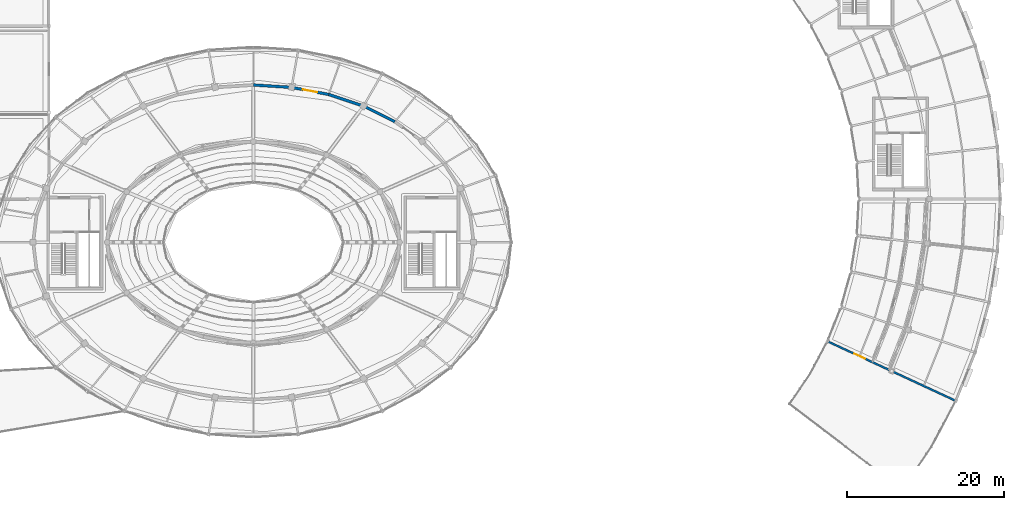
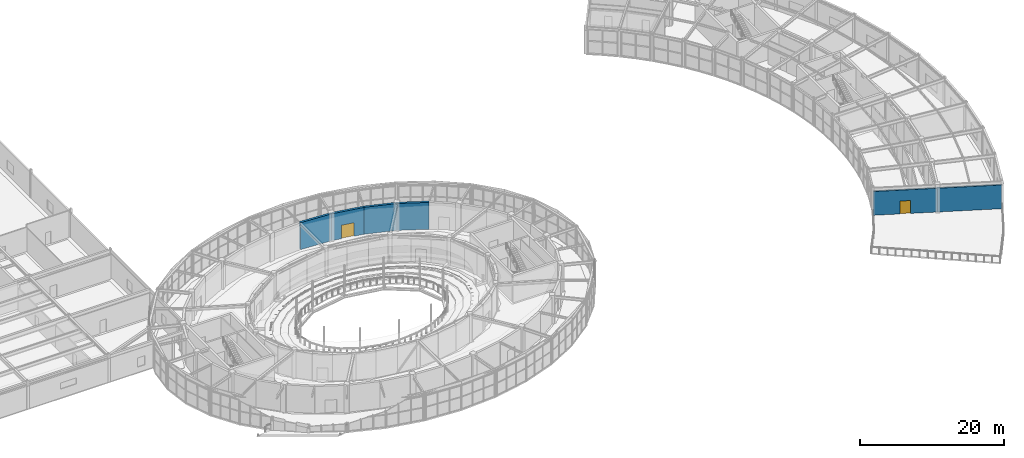
# One storey, part 93 of 108: 6 walls, 2 doors, 2 openings.
"""IFC4 building model written with IfcOpenShell, lengths in metres."""

import ifcopenshell
import ifcopenshell.guid

model = None  # the IFC model being written
_history = None  # IfcOwnerHistory: only IFC2X3 demands one
_inside = {}  # id of a spatial element -> (the spatial element, [elements in it])
_under = {}  # id of a project, library or spatial element -> (it, [spatial elements below it])
_declared = {}  # id of a project -> (the project, [libraries it declares])
_typed = {}  # id of a type object -> (the type object, [elements of that type])
_made_of = {}  # id of a material, layer set ... -> (it, [elements and type objects made of it])


def new_model(schema):
    """Start an empty IFC model of exactly this schema.

    Asked for "IFC4X3", IfcOpenShell would pick the latest addendum, in which some entities
    have other attributes; the version numbers below select the first issue.
    IFC2X3 requires an IfcOwnerHistory on every rooted entity: one is made here for all.
    """
    global model, _history
    if schema == "IFC4X3":
        model = ifcopenshell.file(schema_version=(4, 3, 0, 0))
    else:
        model = ifcopenshell.file(schema=schema)
    _inside.clear()
    _under.clear()
    _declared.clear()
    _typed.clear()
    _made_of.clear()
    _history = None
    if model.schema == "IFC2X3":
        org = make("IfcOrganization", Name="unknown")
        user = make(
            "IfcPersonAndOrganization",
            ThePerson=make("IfcPerson", FamilyName="unknown"),
            TheOrganization=org,
        )
        app = make(
            "IfcApplication",
            ApplicationDeveloper=org,
            Version="unknown",
            ApplicationFullName="unknown",
            ApplicationIdentifier="unknown",
        )
        _history = make(
            "IfcOwnerHistory",
            OwningUser=user,
            OwningApplication=app,
            ChangeAction="ADDED",
            CreationDate=0,
        )
    return model


def make(cls, **values):
    """One entity of the class cls with the attributes given. An attribute that is None is left unset."""
    return model.create_entity(
        cls, **{name: value for name, value in values.items() if value is not None}
    )


def rooted(cls, **values):
    """An entity with a GlobalId (a new one), such as an element, a storey or a relation."""
    return make(cls, GlobalId=ifcopenshell.guid.new(), OwnerHistory=_history, **values)


def si_unit(unit_type, name, prefix=None):
    """IfcSIUnit, for example si_unit("LENGTHUNIT", "METRE", prefix="MILLI")."""
    return make("IfcSIUnit", UnitType=unit_type, Prefix=prefix, Name=name)


def assignment(units):
    """IfcUnitAssignment: the units of a project."""
    return None if units is None else make("IfcUnitAssignment", Units=units)


def point(xyz):
    """IfcCartesianPoint."""
    return None if xyz is None else make("IfcCartesianPoint", Coordinates=xyz)


def direction(xyz):
    """IfcDirection."""
    return None if xyz is None else make("IfcDirection", DirectionRatios=xyz)


def frame(location, z_axis=None, x_axis=None):
    """IfcAxis2Placement3D, a coordinate frame: its origin and axes. An axis left out is left unset."""
    return make(
        "IfcAxis2Placement3D",
        Location=point(location),
        Axis=direction(z_axis),
        RefDirection=direction(x_axis),
    )


def frame_2d(location, x_axis=None):
    """IfcAxis2Placement2D, a coordinate frame in the plane: its origin and x axis."""
    return make(
        "IfcAxis2Placement2D", Location=point(location), RefDirection=direction(x_axis)
    )


def origin():
    """The frame at (0, 0, 0) with its axes left unset."""
    return frame((0.0, 0.0, 0.0))


def place(relative_to, where):
    """IfcLocalPlacement: puts the frame where relative to a parent placement (None: the world)."""
    return make(
        "IfcLocalPlacement", PlacementRelTo=relative_to, RelativePlacement=where
    )


def context(
    kind, dimensions, precision=None, world=None, true_north=None, identifier=None
):
    """IfcGeometricRepresentationContext, for example the 3D "Model" context."""
    return make(
        "IfcGeometricRepresentationContext",
        ContextIdentifier=identifier,
        ContextType=kind,
        CoordinateSpaceDimension=dimensions,
        Precision=precision,
        WorldCoordinateSystem=world,
        TrueNorth=true_north,
    )


def subcontext(parent, identifier, kind, view, scale=None):
    """IfcGeometricRepresentationSubContext, for example "Body" below "Model"."""
    return make(
        "IfcGeometricRepresentationSubContext",
        ContextIdentifier=identifier,
        ContextType=kind,
        ParentContext=parent,
        TargetScale=scale,
        TargetView=view,
    )


def project(units=None, contexts=None):
    """IfcProject with its units and contexts."""
    return rooted(
        "IfcProject",
        Name="project",
        RepresentationContexts=contexts,
        UnitsInContext=assignment(units),
    )


def spatial(cls, under=None, at=None, **own):
    """A site, building, storey or space (cls), placed at a placement, below another one or the project."""
    s = rooted(cls, ObjectPlacement=at, **own)
    if under is not None:
        _under.setdefault(under.id(), (under, []))[1].append(s)
    return s


def profile(cls, at=None, kind="AREA", **sizes):
    """A parametric profile (cls). Its sizes go by their IFC names, for example OverallWidth=200.0."""
    return make(cls, ProfileType=kind, Position=at, **sizes)


def rectangle(**sizes):
    """IfcRectangleProfileDef."""
    return profile("IfcRectangleProfileDef", **sizes)


def extrude(swept, where, along, depth):
    """IfcExtrudedAreaSolid: the profile swept, set in the frame where, extruded along a direction by depth."""
    return make(
        "IfcExtrudedAreaSolid",
        SweptArea=swept,
        Position=where,
        ExtrudedDirection=direction(along),
        Depth=depth,
    )


def shape(context_of_items, identifier, shape_type, items):
    """IfcShapeRepresentation: the items that make up one representation, for example the "Body"."""
    return make(
        "IfcShapeRepresentation",
        ContextOfItems=context_of_items,
        RepresentationIdentifier=identifier,
        RepresentationType=shape_type,
        Items=items,
    )


def material(Name=None, Category=None):
    """IfcMaterial."""
    return make("IfcMaterial", Name=Name, Category=Category)


def layer(
    of_material, thickness, ventilated=None, Name=None, Category=None, Priority=None
):
    """IfcMaterialLayer: one layer of a wall or slab, of a material (None: an air gap)."""
    return make(
        "IfcMaterialLayer",
        Material=of_material,
        LayerThickness=thickness,
        IsVentilated=ventilated,
        Name=Name,
        Category=Category,
        Priority=Priority,
    )


def layer_set(layers, Name=None):
    """IfcMaterialLayerSet."""
    return make("IfcMaterialLayerSet", MaterialLayers=layers, LayerSetName=Name)


def made_of(thing, what):
    """Note that an element or type object is made of a material, layer set ...; save() writes the relation."""
    if what is not None:
        _made_of.setdefault(what.id(), (what, []))[1].append(thing)
    return thing


def type_object(cls, material=None, **own):
    """A type object (cls), such as IfcWallType, which elements share."""
    return made_of(rooted(cls, **own), material)


def element(
    cls,
    number,
    at=None,
    inside=None,
    cuts=None,
    type_object=None,
    material=None,
    context=None,
    identifier="Body",
    shape_type=None,
    held_by="IfcProductDefinitionShape",
    body=None,
    shapes=None,
    **own,
):
    """One element of the class cls, such as IfcWall. Its Tag is "e" and its number.

    at: its placement. inside: the storey or other place that contains it. cuts: it is an
    opening in that element (IfcRelVoidsElement). A single representation is given by context,
    identifier, shape_type and body (its items); several are given by shapes. held_by: the class
    of the entity that holds the representations. save() writes the other relations.
    """
    e = rooted(cls, Tag="e%d" % number, ObjectPlacement=at, **own)
    if body is not None:
        shapes = [shape(context, identifier, shape_type, body)]
    if shapes is not None:
        e.Representation = make(held_by, Representations=shapes)
    if inside is not None:
        _inside.setdefault(inside.id(), (inside, []))[1].append(e)
    if cuts is not None:
        rooted(
            "IfcRelVoidsElement", RelatingBuildingElement=cuts, RelatedOpeningElement=e
        )
    if type_object is not None:
        _typed.setdefault(type_object.id(), (type_object, []))[1].append(e)
    return made_of(e, material)


def fill(opening, filler):
    """IfcRelFillsElement: the door or window that sits in an opening."""
    return rooted(
        "IfcRelFillsElement",
        RelatingOpeningElement=opening,
        RelatedBuildingElement=filler,
    )


def aggregate(whole, parts):
    """IfcRelAggregates: a whole, such as a stair, and the parts it consists of."""
    return rooted("IfcRelAggregates", RelatingObject=whole, RelatedObjects=parts)


def save(model, path):
    """Write the relations noted so far, then the file.

    IfcRelAggregates (storeys below a building ...), IfcRelContainedInSpatialStructure (elements
    in a storey), IfcRelDefinesByType, IfcRelAssociatesMaterial and IfcRelDeclares: one each for
    every whole, place, type object, material and project.
    """
    for whole, parts in _under.values():
        aggregate(whole, parts)
    for where, things in _inside.values():
        rooted(
            "IfcRelContainedInSpatialStructure",
            RelatedElements=things,
            RelatingStructure=where,
        )
    for kind, things in _typed.values():
        rooted("IfcRelDefinesByType", RelatedObjects=things, RelatingType=kind)
    for what, things in _made_of.values():
        rooted("IfcRelAssociatesMaterial", RelatedObjects=things, RelatingMaterial=what)
    for by, libraries in _declared.values():
        rooted("IfcRelDeclares", RelatingContext=by, RelatedDefinitions=libraries)
    model.write(path)


model = new_model("IFC4")

# Units and contexts
model_context = context("Model", 3, precision=1e-05, world=origin(), true_north=direction((0.0, 1.0)))
body_context = subcontext(model_context, "Body", "Model", "MODEL_VIEW")
ifc_project = project(units=[si_unit("LENGTHUNIT", "METRE"), si_unit("AREAUNIT", "SQUARE_METRE"), si_unit("VOLUMEUNIT", "CUBIC_METRE"), si_unit("PLANEANGLEUNIT", "RADIAN"), si_unit("MASSUNIT", "GRAM", prefix="KILO")], contexts=[model_context])

# Site, building, storey
site_placement = place(None, origin())
site = spatial("IfcSite", under=ifc_project, at=site_placement, CompositionType="ELEMENT")
building_placement = place(site_placement, origin())
building = spatial("IfcBuilding", under=site, at=building_placement, Name="Tarnveldt Headland Concert Hall", CompositionType="ELEMENT")
storey_placement = place(building_placement, frame((0.0, 0.0, 9.60009765625)))
storey = spatial("IfcBuildingStorey", under=building, at=storey_placement, Name="L02", CompositionType="ELEMENT", Elevation=9.60009765625)

# Walls
ifc_material_1 = material(Name="Concrete C40/50", Category="concrete")
ifc_layer_1 = layer(ifc_material_1, 0.35009765625, Name="Concrete C40/50", Category="concrete")
ifc_layer_set_1 = layer_set([ifc_layer_1], Name="Concrete C40/50")
wall_type_1 = type_object("IfcWallType", Name="WL-CR350", PredefinedType="SHEAR", material=ifc_layer_set_1)
wall_1_placement = place(storey_placement, frame((101.498046875, 69.82080078125, 0.0), z_axis=(0.0, 0.0, 1.0), x_axis=(-0.894361644392, 0.447344664705, 0.0)))
element("IfcWall", 1, at=wall_1_placement, inside=storey, type_object=wall_type_1, Name="Symphony drum shear wall L02-6", PredefinedType="SHEAR", context=body_context, shape_type="SweptSolid", body=[
    extrude(rectangle(XDim=4.47021484375, YDim=0.35009765625, at=frame_2d((2.235107421875, 0.0))), origin(), (0.0, 0.0, 1.0), 4.5498046875),
])
wall_2_placement = place(storey_placement, frame((97.5, 71.820556640625, 0.0), z_axis=(0.0, 0.0, 1.0), x_axis=(-0.948751350732, 0.316023534699, 0.0)))
element("IfcWall", 2, at=wall_2_placement, inside=storey, type_object=wall_type_1, Name="Symphony drum shear wall L02-7", PredefinedType="SHEAR", context=body_context, shape_type="SweptSolid", body=[
    extrude(rectangle(XDim=4.662353515625, YDim=0.35009765625, at=frame_2d((2.3310546875, 0.0))), origin(), (0.0, 0.0, 1.0), 4.5498046875),
])

# Wall, opening, door
wall_3_placement = place(storey_placement, frame((93.07666015625, 73.2939453125, 0.0), z_axis=(0.0, 0.0, 1.0), x_axis=(-0.982172578083, 0.187981453503, 0.0)))
wall_3 = element("IfcWall", 3, at=wall_3_placement, inside=storey, type_object=wall_type_1, Name="Symphony drum shear wall L02-8", PredefinedType="SHEAR", context=body_context, shape_type="SweptSolid", body=[
    extrude(rectangle(XDim=4.80029296875, YDim=0.35009765625, at=frame_2d((2.400146484375, 0.0))), origin(), (0.0, 0.0, 1.0), 4.5498046875),
])
opening_1_placement = place(wall_3_placement, frame((1.47509765625, 0.0, 0.0)))
opening_1 = element("IfcOpeningElement", 4, at=opening_1_placement, cuts=wall_3, Name="Opening AD-O020", PredefinedType="OPENING", context=body_context, shape_type="SweptSolid", body=[
    extrude(rectangle(XDim=1.85009765625, YDim=2.300048828125, at=frame_2d((0.925048828125, 1.14990234375))), frame((0.0, 0.18505859375, 0.0), z_axis=(0.0, -1.0, 0.0), x_axis=(1.0, 0.0, 0.0)), (0.0, 0.0, 1.0), 0.3701171875),
])
ifc_material_2 = material(Name="Treated East African mvule hardwood", Category="wood")
door_type_1 = type_object("IfcDoorType", Name="DR-AC185", OperationType="NOTDEFINED", PredefinedType="DOOR", material=ifc_material_2)
door_1_placement = place(opening_1_placement, origin())
door_1 = element("IfcDoor", 5, at=door_1_placement, inside=storey, type_object=door_type_1, Name="Drum concourse acoustic door L02-8", OperationType="SINGLE_SWING_RIGHT", OverallHeight=2.300048828125, OverallWidth=1.85009765625, PredefinedType="DOOR", context=body_context, shape_type="SweptSolid", body=[
    extrude(rectangle(XDim=1.85009765625, YDim=2.300048828125, at=frame_2d((0.925048828125, 1.14990234375))), frame((0.0, 0.02490234375, 0.0), z_axis=(0.0, -1.0, 0.0), x_axis=(1.0, 0.0, 0.0)), (0.0, 0.0, 1.0), 0.050048828125),
])
fill(opening_1, door_1)

# Wall
wall_4_placement = place(storey_placement, frame((88.362060546875, 74.1962890625, 0.0), z_axis=(0.0, 0.0, 1.0), x_axis=(-0.998054722924, 0.06234396562, 0.0)))
element("IfcWall", 6, at=wall_4_placement, inside=storey, type_object=wall_type_1, Name="Symphony drum shear wall L02-9", PredefinedType="SHEAR", context=body_context, shape_type="SweptSolid", body=[
    extrude(rectangle(XDim=4.87158203125, YDim=0.35009765625, at=frame_2d((2.435791015625, 0.0))), origin(), (0.0, 0.0, 1.0), 4.5498046875),
])

# Wall, opening, door
ifc_material_3 = material(Name="Coral-toned precast concrete C40/50", Category="concrete")
ifc_layer_2 = layer(ifc_material_3, 0.25, Name="Coral-toned precast concrete C40/50", Category="concrete")
ifc_layer_set_2 = layer_set([ifc_layer_2], Name="Coral-toned precast concrete C40/50")
wall_type_2 = type_object("IfcWallType", Name="WL-EX250", PredefinedType="SOLIDWALL", material=ifc_layer_set_2)
wall_5_placement = place(storey_placement, frame((164.65234375, 38.123779296875, 0.0), z_axis=(0.0, 0.0, 1.0), x_axis=(-0.907133816002, 0.420842298094, 0.0)))
wall_5 = element("IfcWall", 7, at=wall_5_placement, inside=storey, type_object=wall_type_2, Name="External precast wall L02-144", PredefinedType="SOLIDWALL", context=body_context, shape_type="SweptSolid", body=[
    extrude(rectangle(XDim=8.9599609375, YDim=0.25, at=frame_2d((4.47998046875, 0.0))), origin(), (0.0, 0.0, 1.0), 4.02783203125),
])
opening_2_placement = place(wall_5_placement, frame((3.72998046875, 0.0, 0.0)))
opening_2 = element("IfcOpeningElement", 8, at=opening_2_placement, cuts=wall_5, Name="Opening TD-C2", PredefinedType="OPENING", context=body_context, shape_type="SweptSolid", body=[
    extrude(rectangle(XDim=1.5, YDim=2.179931640625, at=frame_2d((0.75, 1.08984375))), frame((0.0, 0.135009765625, 0.0), z_axis=(0.0, -1.0, 0.0), x_axis=(1.0, 0.0, 0.0)), (0.0, 0.0, 1.0), 0.27001953125),
])
ifc_material_4 = material(Name="Marine-anodised aluminium EN AW-6063-T6", Category="aluminium")
door_type_2 = type_object("IfcDoorType", Name="DR-TR150", OperationType="NOTDEFINED", PredefinedType="DOOR", material=ifc_material_4)
door_2_placement = place(opening_2_placement, origin())
door_2 = element("IfcDoor", 9, at=door_2_placement, inside=storey, type_object=door_type_2, Name="Crescent coastal terrace door L02", OperationType="SINGLE_SWING_LEFT", OverallHeight=2.179931640625, OverallWidth=1.5, PredefinedType="DOOR", context=body_context, shape_type="SweptSolid", body=[
    extrude(rectangle(XDim=1.5, YDim=2.179931640625, at=frame_2d((0.75, 1.08984375))), frame((0.0, 0.02490234375, 0.0), z_axis=(0.0, -1.0, 0.0), x_axis=(1.0, 0.0, 0.0)), (0.0, 0.0, 1.0), 0.050048828125),
])
fill(opening_2, door_2)

# Wall
wall_6_placement = place(storey_placement, frame((172.816650390625, 34.3359375, 0.0), z_axis=(0.0, 0.0, 1.0), x_axis=(-0.907123413716, 0.4208647197, 0.0)))
element("IfcWall", 10, at=wall_6_placement, inside=storey, type_object=wall_type_2, Name="External precast wall L02-145", PredefinedType="SOLIDWALL", context=body_context, shape_type="SweptSolid", body=[
    extrude(rectangle(XDim=8.960205078125, YDim=0.25, at=frame_2d((4.47998046875, 0.0))), origin(), (0.0, 0.0, 1.0), 4.02783203125),
])

save(model, "model.ifc")
